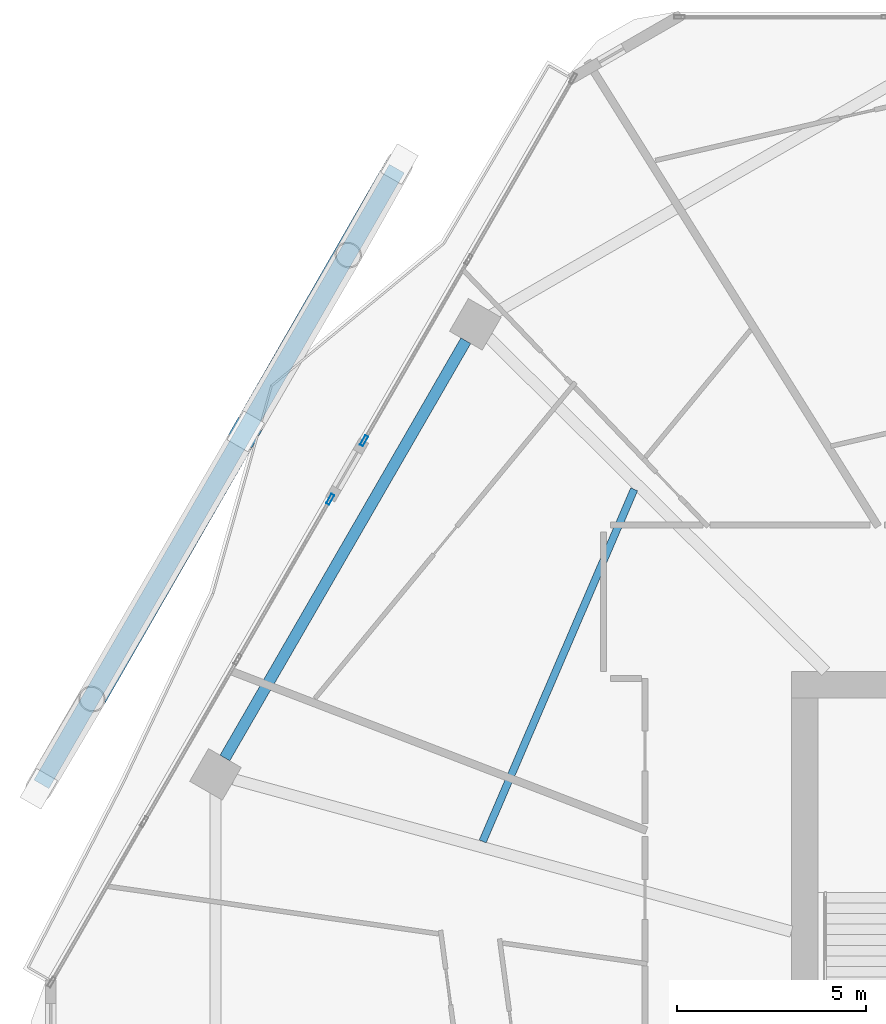
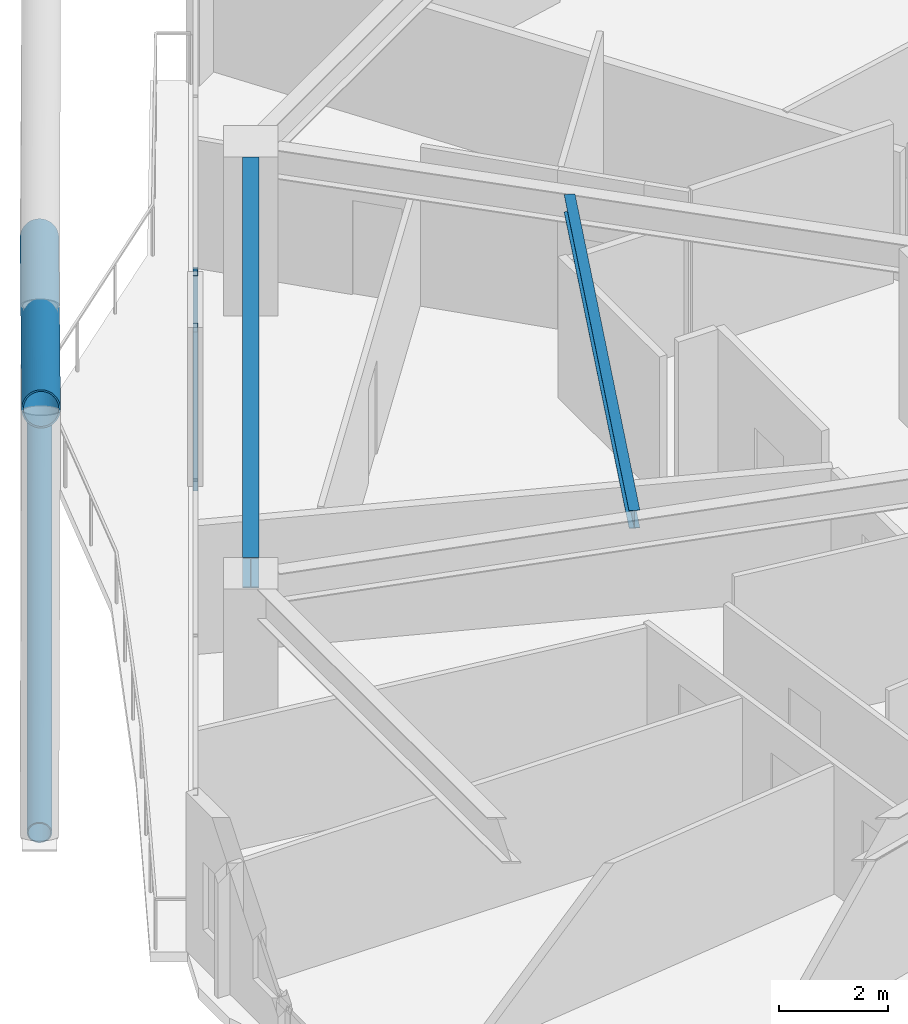
# One storey, part 12 of 30: 4 members, 2 beams, 2 elements without a shape of their own.
"""IFC4 building model written with IfcOpenShell, lengths in metres."""

from ifc_helpers import new_model, si_unit, direction, frame, origin, origin_2d, place, context, subcontext, project, spatial, hollow_rectangle, hollow_circle, i_section, extrude, material, material_profile, profile_set, type_object, element, aggregate, save


model = new_model("IFC4")

# Units and contexts
model_context = context("Model", 3, precision=1e-05, world=origin(), true_north=direction((0.0, 1.0)))
body_context = subcontext(model_context, "Body", "Model", "MODEL_VIEW")
ifc_project = project(units=[si_unit("LENGTHUNIT", "METRE"), si_unit("AREAUNIT", "SQUARE_METRE"), si_unit("VOLUMEUNIT", "CUBIC_METRE"), si_unit("PLANEANGLEUNIT", "RADIAN"), si_unit("MASSUNIT", "GRAM", prefix="KILO")], contexts=[model_context])

# Site, building, storey
site_placement = place(None, origin())
site = spatial("IfcSite", under=ifc_project, at=site_placement, CompositionType="ELEMENT")
building_placement = place(site_placement, origin())
building = spatial("IfcBuilding", under=site, at=building_placement, Name="Zuhravey Tower", CompositionType="ELEMENT")
storey_placement = place(building_placement, frame((0.0, 0.0, 177.0)))
storey = spatial("IfcBuildingStorey", under=building, at=storey_placement, Name="L44", CompositionType="ELEMENT", Elevation=177.0)

# Curtain wall, member
ifc_material_1 = material(Name="Thermally broken anodised aluminium", Category="aluminium")
curtain_wall_type = type_object("IfcCurtainWallType", Name="Zone 1-2 Residential Curtain Wall CW3", PredefinedType="NOTDEFINED", material=ifc_material_1)
curtain_wall_1_placement = place(storey_placement, origin())
curtain_wall_1 = element("IfcCurtainWall", 1, at=curtain_wall_1_placement, inside=storey, type_object=curtain_wall_type, Name="L44 CW3 CW-L44-F3-1", PredefinedType="NOTDEFINED")
ifc_material_2 = material(Name="Anodised aluminium", Category="aluminium")
ifc_material_profile_1 = material_profile(ifc_material_2, hollow_rectangle(XDim=0.090087890625, YDim=0.284912109375, WallThickness=0.0048828125, at=origin_2d()), Name="ALU-RHS-90x285x5")
ifc_profile_set_1 = profile_set([ifc_material_profile_1], Name="Anodised aluminium")
member_type_1 = type_object("IfcMemberType", Name="Curtain-Wall Mullion 90x180", PredefinedType="MULLION", material=ifc_profile_set_1)
member_1_placement = place(storey_placement, frame((12.93310546875, 46.413330078125, 0.0), z_axis=(0.0, 0.0, 1.0), x_axis=(-0.8660252797, 0.50000021492, 0.0)))
member_1 = element("IfcMember", 2, at=member_1_placement, type_object=member_type_1, Name="CW3 mullion 4", PredefinedType="MULLION", context=body_context, shape_type="SweptSolid", body=[
    extrude(hollow_rectangle(XDim=0.090087890625, YDim=0.284912109375, WallThickness=0.0048828125, at=origin_2d()), origin(), (0.0, 0.0, 1.0), 3.550048828125),
])
aggregate(curtain_wall_1, [member_1])

curtain_wall_2_placement = place(storey_placement, origin())
curtain_wall_2 = element("IfcCurtainWall", 3, at=curtain_wall_2_placement, inside=storey, type_object=curtain_wall_type, Name="L44 CW3 CW-L44-F3-2", PredefinedType="NOTDEFINED")
member_2_placement = place(storey_placement, frame((13.828125, 47.96337890625, 0.0), z_axis=(0.0, 0.0, 1.0), x_axis=(-0.866025876393, 0.499999181417, 0.0)))
member_2 = element("IfcMember", 4, at=member_2_placement, type_object=member_type_1, Name="CW3 mullion 1", PredefinedType="MULLION", context=body_context, shape_type="SweptSolid", body=[
    extrude(hollow_rectangle(XDim=0.090087890625, YDim=0.284912109375, WallThickness=0.0048828125, at=origin_2d()), origin(), (0.0, 0.0, 1.0), 3.550048828125),
])
aggregate(curtain_wall_2, [member_2])

# Members
ifc_material_3 = material(Name="Steel SM355", Category="steel")
ifc_material_profile_2 = material_profile(ifc_material_3, hollow_circle(Radius=0.228515625, WallThickness=0.02197265625, at=origin_2d()), Name="CHS-457.2x22")
ifc_profile_set_2 = profile_set([ifc_material_profile_2], Name="Steel SM355")
member_type_2 = type_object("IfcMemberType", Name="Exoskeleton Ring Tie CHS457x22", PredefinedType="CHORD", material=ifc_profile_set_2)
member_3_placement = place(storey_placement, frame((14.697998046875, 55.170166015625, -0.464111328125), z_axis=(-0.499994808408, -0.866028401131, 0.0), x_axis=(0.866028401131, -0.499994808408, 0.0)))
element("IfcMember", 5, at=member_3_placement, inside=storey, type_object=member_type_2, Name="L44 Exoskeleton Face 3 Tie EXR1", PredefinedType="CHORD", context=body_context, shape_type="SweptSolid", body=[
    extrude(hollow_circle(Radius=0.228515625, WallThickness=0.02197265625, at=origin_2d()), origin(), (0.0, 0.0, 1.0), 18.829833984375),
])
ifc_material_4 = material(Name="Steel SM460", Category="steel")
ifc_material_profile_3 = material_profile(ifc_material_4, hollow_circle(Radius=0.355712890625, WallThickness=0.031982421875, at=origin_2d()), Name="CHS-711.2x32")
ifc_profile_set_3 = profile_set([ifc_material_profile_3], Name="Steel SM460")
member_type_3 = type_object("IfcMemberType", Name="Exoskeleton Zone 2 Diagrid CHS711x32", PredefinedType="BRACE", material=ifc_profile_set_3)
member_4_placement = place(storey_placement, frame((14.74658203125, 55.254150390625, -0.444091796875), z_axis=(-0.451894795802, -0.786041396785, 0.421817515126), x_axis=(0.86694395581, -0.498405635486, 0.0)))
element("IfcMember", 6, at=member_4_placement, inside=storey, type_object=member_type_3, Name="L44 Face 3 Diagrid Brace 2", PredefinedType="BRACE", context=body_context, shape_type="SweptSolid", body=[
    extrude(hollow_circle(Radius=0.355712890625, WallThickness=0.031982421875, at=origin_2d()), origin(), (0.0, 0.0, 1.0), 17.922607421875),
])

# Beams
ifc_material_profile_4 = material_profile(ifc_material_3, i_section(OverallWidth=0.300048828125, OverallDepth=0.679931640625, WebThickness=0.012939453125, FlangeThickness=0.02197265625, at=origin_2d()), Name="H-680x300x13x22")
ifc_profile_set_4 = profile_set([ifc_material_profile_4], Name="Steel SM355")
beam_type_1 = type_object("IfcBeamType", Name="Perimeter Ring Beam H680x300", PredefinedType="BEAM", material=ifc_profile_set_4)
beam_1_placement = place(storey_placement, frame((16.52294921875, 50.611083984375, 3.2099609375), z_axis=(-0.499997974489, -0.866026573211, 0.0), x_axis=(0.866026573211, -0.499997974489, 0.0)))
element("IfcBeam", 7, at=beam_1_placement, inside=storey, type_object=beam_type_1, Name="L44 PB2 BM-L44-PB-05", PredefinedType="BEAM", context=body_context, shape_type="SweptSolid", body=[
    extrude(i_section(OverallWidth=0.300048828125, OverallDepth=0.679931640625, WebThickness=0.012939453125, FlangeThickness=0.02197265625, at=origin_2d()), origin(), (0.0, 0.0, 1.0), 12.75830078125),
])
ifc_material_profile_5 = material_profile(ifc_material_3, i_section(OverallWidth=0.199951171875, OverallDepth=0.39990234375, WebThickness=0.008056640625, FlangeThickness=0.012939453125, at=origin_2d()), Name="H-400x200x8x13")
ifc_profile_set_5 = profile_set([ifc_material_profile_5], Name="Steel SM355")
beam_type_2 = type_object("IfcBeamType", Name="Secondary Floor Joist H400x200", PredefinedType="JOIST", material=ifc_profile_set_5)
beam_2_placement = place(storey_placement, frame((20.982421875, 46.676025390625, 3.35009765625), z_axis=(-0.395265853487, -0.918566766799, 0.0), x_axis=(0.918566766799, -0.395265853487, 0.0)))
element("IfcBeam", 8, at=beam_2_placement, inside=storey, type_object=beam_type_2, Name="L44 SJ2 BM-L44-SJ-05-1", PredefinedType="JOIST", context=body_context, shape_type="SweptSolid", body=[
    extrude(i_section(OverallWidth=0.199951171875, OverallDepth=0.39990234375, WebThickness=0.008056640625, FlangeThickness=0.012939453125, at=origin_2d()), origin(), (0.0, 0.0, 1.0), 10.150146484375),
])

save(model, "model.ifc")
